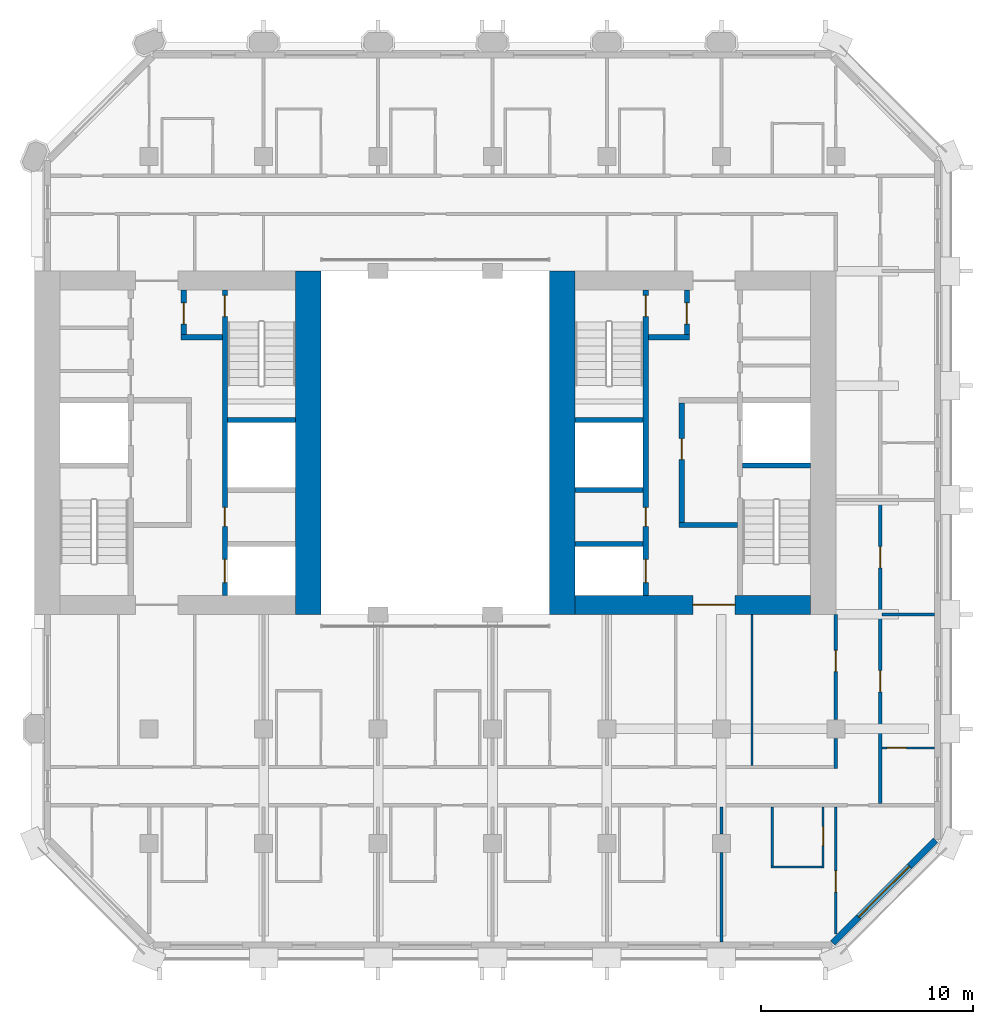
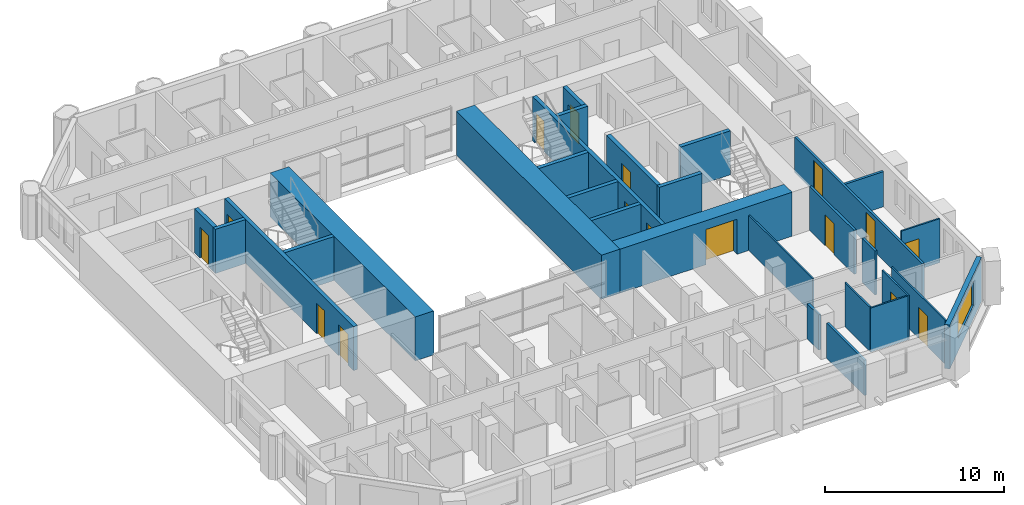
# One storey, part 8 of 13: 29 walls, 16 doors, 1 window, 17 openings.
"""IFC4 building model written with IfcOpenShell, lengths in metres."""

from ifc_helpers import new_model, si_unit, direction, frame, frame_2d, origin, place, context, subcontext, project, spatial, rectangle, extrude, material, layer, layer_set, type_object, element, fill, save


model = new_model("IFC4")

# Units and contexts
model_context = context("Model", 3, precision=1e-05, world=origin(), true_north=direction((0.0, 1.0)))
body_context = subcontext(model_context, "Body", "Model", "MODEL_VIEW")
ifc_project = project(units=[si_unit("LENGTHUNIT", "METRE"), si_unit("AREAUNIT", "SQUARE_METRE"), si_unit("VOLUMEUNIT", "CUBIC_METRE"), si_unit("PLANEANGLEUNIT", "RADIAN"), si_unit("MASSUNIT", "GRAM", prefix="KILO")], contexts=[model_context])

# Site, building, storey
site_placement = place(None, origin())
site = spatial("IfcSite", under=ifc_project, at=site_placement, CompositionType="ELEMENT")
building_placement = place(site_placement, origin())
building = spatial("IfcBuilding", under=site, at=building_placement, Name="Tabaq Tower and Sports Hall", CompositionType="ELEMENT")
storey_placement = place(building_placement, frame((0.0, 0.0, 159.39990234375)))
storey = spatial("IfcBuildingStorey", under=building, at=storey_placement, Name="L37", CompositionType="ELEMENT", Elevation=159.39990234375)

# Walls
ifc_material_1 = material(Name="Concrete C50/60", Category="concrete")
ifc_layer_1 = layer(ifc_material_1, 1.199951171875)
ifc_layer_set_1 = layer_set([ifc_layer_1], Name="Core wall 1200 Concrete C50/60")
wall_type_1 = type_object("IfcWallType", Name="Core wall 1200 Concrete C50/60", PredefinedType="SOLIDWALL", material=ifc_layer_set_1)
for number, where, z_axis, x_axis, name in (
    (1, (18.300048828125, 32.39990234375, 0.0), (0.0, 0.0, 1.0), (0.0, -1.0, 0.0), "Core wall W L37"),
    (2, (30.300048828125, 16.199951171875, 0.0), (0.0, 0.0, 1.0), (0.0, 1.0, 0.0), "Core wall E L37"),
):
    element("IfcWall", number, at=place(storey_placement, frame(where, z_axis=z_axis, x_axis=x_axis)), inside=storey, type_object=wall_type_1, Name=name, PredefinedType="SOLIDWALL", context=body_context, shape_type="SweptSolid", body=[
        extrude(rectangle(XDim=16.199951171875, YDim=1.199951171875, at=frame_2d((8.10009765625, 0.0))), origin(), (0.0, 0.0, 1.0), 3.0),
    ])

# Wall, opening, door
ifc_material_2 = material(Name="Concrete C50/60", Category="concrete")
ifc_layer_2 = layer(ifc_material_2, 0.89990234375)
ifc_layer_set_2 = layer_set([ifc_layer_2], Name="Core wall 900 Concrete C50/60")
wall_type_2 = type_object("IfcWallType", Name="Core wall 900 Concrete C50/60", PredefinedType="SOLIDWALL", material=ifc_layer_set_2)
wall_1_placement = place(storey_placement, frame((42.0, 16.64990234375, 0.0), z_axis=(0.0, 0.0, 1.0), x_axis=(-1.0, 0.0, 0.0)))
wall_1 = element("IfcWall", 3, at=wall_1_placement, inside=storey, type_object=wall_type_2, Name="Core wall E L37", PredefinedType="SOLIDWALL", context=body_context, shape_type="SweptSolid", body=[
    extrude(rectangle(XDim=11.10009765625, YDim=0.89990234375, at=frame_2d((5.550048828125, 0.0))), origin(), (0.0, 0.0, 1.0), 3.0),
])
opening_1_placement = place(wall_1_placement, frame((3.550048828125, 0.0, 0.0)))
opening_1 = element("IfcOpeningElement", 4, at=opening_1_placement, cuts=wall_1, Name="Opening PD-EL37-01", PredefinedType="OPENING", context=body_context, shape_type="SweptSolid", body=[
    extrude(rectangle(XDim=2.0, YDim=2.39990234375, at=frame_2d((1.0, 1.199951171875))), frame((0.0, 0.449951171875, 0.0), z_axis=(0.0, -1.0, 0.0), x_axis=(1.0, 0.0, 0.0)), (0.0, 0.0, 1.0), 0.89990234375),
])
ifc_material_3 = material(Name="Steel fire door", Category="steel")
door_type_1 = type_object("IfcDoorType", Name="Core entrance door 2000", OperationType="DOUBLE_DOOR_SINGLE_SWING", PredefinedType="DOOR", material=ifc_material_3)
door_1_placement = place(opening_1_placement, origin())
door_1 = element("IfcDoor", 5, at=door_1_placement, inside=storey, type_object=door_type_1, Name="Core entrance south E L37", OperationType="DOUBLE_DOOR_SINGLE_SWING", OverallHeight=2.39990234375, OverallWidth=2.0, PredefinedType="DOOR", context=body_context, shape_type="SweptSolid", body=[
    extrude(rectangle(XDim=2.0, YDim=2.39990234375, at=frame_2d((1.0, 1.199951171875))), frame((0.0, 0.02490234375, 0.0), z_axis=(0.0, -1.0, 0.0), x_axis=(1.0, 0.0, 0.0)), (0.0, 0.0, 1.0), 0.050048828125),
])
fill(opening_1, door_1)

ifc_material_4 = material(Name="Gypsum board on steel studs", Category="steel")
ifc_layer_3 = layer(ifc_material_4, 0.10009765625)
ifc_layer_set_3 = layer_set([ifc_layer_3], Name="Partition 100 Gypsum board")
wall_type_3 = type_object("IfcWallType", Name="Partition 100 Gypsum board", PredefinedType="PARTITIONING", material=ifc_layer_set_3)
wall_2_placement = place(storey_placement, frame((45.375, 9.89990234375, 0.0), z_axis=(0.0, 0.0, 1.0), x_axis=(1.0, 0.0, 0.0)))
wall_2 = element("IfcWall", 6, at=wall_2_placement, inside=storey, type_object=wall_type_3, Name="Partition wall L37", PredefinedType="PARTITIONING", context=body_context, shape_type="SweptSolid", body=[
    extrude(rectangle(XDim=2.47412109375, YDim=0.10009765625, at=frame_2d((1.237060546875, 0.0))), origin(), (0.0, 0.0, 1.0), 3.0),
])
opening_2_placement = place(wall_2_placement, frame((0.25, 0.0, 0.0)))
opening_2 = element("IfcOpeningElement", 7, at=opening_2_placement, cuts=wall_2, Name="Opening L37-017", PredefinedType="OPENING", context=body_context, shape_type="SweptSolid", body=[
    extrude(rectangle(XDim=0.89990234375, YDim=2.10009765625, at=frame_2d((0.449951171875, 1.050048828125))), frame((0.0, 0.050048828125, 0.0), z_axis=(0.0, -1.0, 0.0), x_axis=(1.0, 0.0, 0.0)), (0.0, 0.0, 1.0), 0.10009765625),
])
ifc_material_5 = material(Name="Timber leaf in steel frame", Category="steel")
door_type_2 = type_object("IfcDoorType", Name="Internal door 900 right hand", OperationType="SINGLE_SWING_RIGHT", PredefinedType="DOOR", material=ifc_material_5)
door_2_placement = place(opening_2_placement, origin())
door_2 = element("IfcDoor", 8, at=door_2_placement, inside=storey, type_object=door_type_2, Name="Internal door L37-017", OperationType="SINGLE_SWING_RIGHT", OverallHeight=2.10009765625, OverallWidth=0.89990234375, PredefinedType="DOOR", context=body_context, shape_type="SweptSolid", body=[
    extrude(rectangle(XDim=0.89990234375, YDim=2.10009765625, at=frame_2d((0.449951171875, 1.050048828125))), frame((0.0, 0.02490234375, 0.0), z_axis=(0.0, -1.0, 0.0), x_axis=(1.0, 0.0, 0.0)), (0.0, 0.0, 1.0), 0.050048828125),
])
fill(opening_2, door_2)

wall_3_placement = place(storey_placement, frame((43.199951171875, 1.112060546875, 0.0), z_axis=(0.0, 0.0, 1.0), x_axis=(0.0, 1.0, 0.0)))
wall_3 = element("IfcWall", 9, at=wall_3_placement, inside=storey, type_object=wall_type_3, Name="Partition wall L37", PredefinedType="PARTITIONING", context=body_context, shape_type="SweptSolid", body=[
    extrude(rectangle(XDim=6.012939453125, YDim=0.10009765625, at=frame_2d((3.00634765625, 0.0))), origin(), (0.0, 0.0, 1.0), 3.0),
])
opening_3_placement = place(wall_3_placement, frame((1.98779296875, 0.0, 0.0)))
opening_3 = element("IfcOpeningElement", 10, at=opening_3_placement, cuts=wall_3, Name="Opening L37-051", PredefinedType="OPENING", context=body_context, shape_type="SweptSolid", body=[
    extrude(rectangle(XDim=1.0, YDim=2.10009765625, at=frame_2d((0.5, 1.050048828125))), frame((0.0, 0.050048828125, 0.0), z_axis=(0.0, -1.0, 0.0), x_axis=(1.0, 0.0, 0.0)), (0.0, 0.0, 1.0), 0.10009765625),
])
ifc_material_6 = material(Name="Timber leaf in steel frame", Category="steel")
door_type_3 = type_object("IfcDoorType", Name="Internal door 1000 right hand", OperationType="SINGLE_SWING_RIGHT", PredefinedType="DOOR", material=ifc_material_6)
door_3_placement = place(opening_3_placement, origin())
door_3 = element("IfcDoor", 11, at=door_3_placement, inside=storey, type_object=door_type_3, Name="Internal door L37-051", OperationType="SINGLE_SWING_RIGHT", OverallHeight=2.10009765625, OverallWidth=1.0, PredefinedType="DOOR", context=body_context, shape_type="SweptSolid", body=[
    extrude(rectangle(XDim=1.0, YDim=2.10009765625, at=frame_2d((0.5, 1.050048828125))), frame((0.0, 0.02490234375, 0.0), z_axis=(0.0, -1.0, 0.0), x_axis=(1.0, 0.0, 0.0)), (0.0, 0.0, 1.0), 0.050048828125),
])
fill(opening_3, door_3)

wall_4_placement = place(storey_placement, frame((42.60009765625, 7.125, 0.0), z_axis=(0.0, 0.0, 1.0), x_axis=(0.0, -1.0, 0.0)))
wall_4 = element("IfcWall", 12, at=wall_4_placement, inside=storey, type_object=wall_type_3, Name="Partition wall L37", PredefinedType="PARTITIONING", context=body_context, shape_type="SweptSolid", body=[
    extrude(rectangle(XDim=2.89990234375, YDim=0.10009765625, at=frame_2d((1.449951171875, 0.0))), origin(), (0.0, 0.0, 1.0), 3.0),
])
opening_4_placement = place(wall_4_placement, frame((0.93701171875, 0.0, 0.0)))
opening_4 = element("IfcOpeningElement", 13, at=opening_4_placement, cuts=wall_4, Name="Opening L37-024", PredefinedType="OPENING", context=body_context, shape_type="SweptSolid", body=[
    extrude(rectangle(XDim=0.89990234375, YDim=2.10009765625, at=frame_2d((0.449951171875, 1.050048828125))), frame((0.0, 0.050048828125, 0.0), z_axis=(0.0, -1.0, 0.0), x_axis=(1.0, 0.0, 0.0)), (0.0, 0.0, 1.0), 0.10009765625),
])
door_4_placement = place(opening_4_placement, origin())
door_4 = element("IfcDoor", 14, at=door_4_placement, inside=storey, type_object=door_type_2, Name="Internal door L37-024", OperationType="SINGLE_SWING_RIGHT", OverallHeight=2.10009765625, OverallWidth=0.89990234375, PredefinedType="DOOR", context=body_context, shape_type="SweptSolid", body=[
    extrude(rectangle(XDim=0.89990234375, YDim=2.10009765625, at=frame_2d((0.449951171875, 1.050048828125))), frame((0.0, 0.02490234375, 0.0), z_axis=(0.0, -1.0, 0.0), x_axis=(1.0, 0.0, 0.0)), (0.0, 0.0, 1.0), 0.050048828125),
])
fill(opening_4, door_4)

# Walls
wall_5_placement = place(storey_placement, frame((42.550048828125, 4.27490234375, 0.0), z_axis=(0.0, 0.0, 1.0), x_axis=(-1.0, 0.0, 0.0)))
element("IfcWall", 15, at=wall_5_placement, inside=storey, type_object=wall_type_3, Name="Partition wall L37", PredefinedType="PARTITIONING", context=body_context, shape_type="SweptSolid", body=[
    extrude(rectangle(XDim=2.400146484375, YDim=0.10009765625, at=frame_2d((1.2001953125, 0.0))), origin(), (0.0, 0.0, 1.0), 3.0),
])
wall_6_placement = place(storey_placement, frame((40.199951171875, 4.324951171875, 0.0), z_axis=(0.0, 0.0, 1.0), x_axis=(0.0, 1.0, 0.0)))
element("IfcWall", 16, at=wall_6_placement, inside=storey, type_object=wall_type_3, Name="Partition wall L37", PredefinedType="PARTITIONING", context=body_context, shape_type="SweptSolid", body=[
    extrude(rectangle(XDim=2.800048828125, YDim=0.10009765625, at=frame_2d((1.39990234375, 0.0))), origin(), (0.0, 0.0, 1.0), 3.0),
])
wall_7_placement = place(storey_placement, frame((39.25, 9.074951171875, 0.0), z_axis=(0.0, 0.0, 1.0), x_axis=(0.0, 1.0, 0.0)))
element("IfcWall", 17, at=wall_7_placement, inside=storey, type_object=wall_type_3, Name="Partition wall L37", PredefinedType="PARTITIONING", context=body_context, shape_type="SweptSolid", body=[
    extrude(rectangle(XDim=7.125, YDim=0.10009765625, at=frame_2d((3.5625, 0.0))), origin(), (0.0, 0.0, 1.0), 2.400146484375),
])
ifc_material_7 = material(Name="Blockwork", Category="masonry")
ifc_layer_4 = layer(ifc_material_7, 0.14990234375)
ifc_layer_set_4 = layer_set([ifc_layer_4], Name="Separating wall 150 Blockwork")
wall_type_4 = type_object("IfcWallType", Name="Separating wall 150 Blockwork", PredefinedType="PARTITIONING", material=ifc_layer_set_4)
wall_8_placement = place(storey_placement, frame((47.84912109375, 16.199951171875, 0.0), z_axis=(0.0, 0.0, 1.0), x_axis=(-1.0, 0.0, 0.0)))
element("IfcWall", 18, at=wall_8_placement, inside=storey, type_object=wall_type_4, Name="Separating wall L37", PredefinedType="PARTITIONING", context=body_context, shape_type="SweptSolid", body=[
    extrude(rectangle(XDim=2.47412109375, YDim=0.14990234375, at=frame_2d((1.237060546875, 0.0))), origin(), (0.0, 0.0, 1.0), 2.400146484375),
])

# Wall, openings, doors
wall_9_placement = place(storey_placement, frame((45.300048828125, 21.52490234375, 0.0), z_axis=(0.0, 0.0, 1.0), x_axis=(0.0, -1.0, 0.0)))
wall_9 = element("IfcWall", 19, at=wall_9_placement, inside=storey, type_object=wall_type_4, Name="Separating wall L37", PredefinedType="PARTITIONING", context=body_context, shape_type="SweptSolid", body=[
    extrude(rectangle(XDim=14.25, YDim=0.14990234375, at=frame_2d((7.125, 0.0))), origin(), (0.0, 0.0, 1.0), 2.400146484375),
])
opening_5_placement = place(wall_9_placement, frame((2.125, 0.0, 0.0)))
opening_5 = element("IfcOpeningElement", 20, at=opening_5_placement, cuts=wall_9, Name="Opening L37-025", PredefinedType="OPENING", context=body_context, shape_type="SweptSolid", body=[
    extrude(rectangle(XDim=1.0, YDim=2.10009765625, at=frame_2d((0.5, 1.050048828125))), frame((0.0, 0.074951171875, 0.0), z_axis=(0.0, -1.0, 0.0), x_axis=(1.0, 0.0, 0.0)), (0.0, 0.0, 1.0), 0.14990234375),
])
opening_6_placement = place(wall_9_placement, frame((7.97509765625, 0.0, 0.0)))
opening_6 = element("IfcOpeningElement", 21, at=opening_6_placement, cuts=wall_9, Name="Opening L37-044", PredefinedType="OPENING", context=body_context, shape_type="SweptSolid", body=[
    extrude(rectangle(XDim=1.0, YDim=2.10009765625, at=frame_2d((0.5, 1.050048828125))), frame((0.0, 0.074951171875, 0.0), z_axis=(0.0, -1.0, 0.0), x_axis=(1.0, 0.0, 0.0)), (0.0, 0.0, 1.0), 0.14990234375),
])
ifc_material_8 = material(Name="Steel fire door", Category="steel")
door_type_4 = type_object("IfcDoorType", Name="Entrance door 1000 right hand", OperationType="SINGLE_SWING_RIGHT", PredefinedType="DOOR", material=ifc_material_8)
door_5_placement = place(opening_6_placement, origin())
door_5 = element("IfcDoor", 22, at=door_5_placement, inside=storey, type_object=door_type_4, Name="Entrance door L37-044", OperationType="SINGLE_SWING_RIGHT", OverallHeight=2.10009765625, OverallWidth=1.0, PredefinedType="DOOR", context=body_context, shape_type="SweptSolid", body=[
    extrude(rectangle(XDim=1.0, YDim=2.10009765625, at=frame_2d((0.5, 1.050048828125))), frame((0.0, 0.02490234375, 0.0), z_axis=(0.0, -1.0, 0.0), x_axis=(1.0, 0.0, 0.0)), (0.0, 0.0, 1.0), 0.050048828125),
])
fill(opening_6, door_5)
door_6_placement = place(opening_5_placement, origin())
door_6 = element("IfcDoor", 23, at=door_6_placement, inside=storey, type_object=door_type_3, Name="Internal door L37-025", OperationType="SINGLE_SWING_RIGHT", OverallHeight=2.10009765625, OverallWidth=1.0, PredefinedType="DOOR", context=body_context, shape_type="SweptSolid", body=[
    extrude(rectangle(XDim=1.0, YDim=2.10009765625, at=frame_2d((0.5, 1.050048828125))), frame((0.0, 0.02490234375, 0.0), z_axis=(0.0, -1.0, 0.0), x_axis=(1.0, 0.0, 0.0)), (0.0, 0.0, 1.0), 0.050048828125),
])
fill(opening_5, door_6)

# Walls
wall_10_placement = place(storey_placement, frame((37.800048828125, 0.7509765625, 0.0), z_axis=(0.0, 0.0, 1.0), x_axis=(0.0, 1.0, 0.0)))
element("IfcWall", 24, at=wall_10_placement, inside=storey, type_object=wall_type_4, Name="Separating wall L37", PredefinedType="PARTITIONING", context=body_context, shape_type="SweptSolid", body=[
    extrude(rectangle(XDim=4.2041015625, YDim=0.14990234375, at=frame_2d((2.10205078125, 0.0))), origin(), (0.0, 0.0, 1.0), 2.400146484375),
])
wall_11_placement = place(storey_placement, frame((37.800048828125, 5.844970703125, 0.0), z_axis=(0.0, 0.0, 1.0), x_axis=(0.0, 1.0, 0.0)))
element("IfcWall", 25, at=wall_11_placement, inside=storey, type_object=wall_type_4, Name="Separating wall L37", PredefinedType="PARTITIONING", context=body_context, shape_type="SweptSolid", body=[
    extrude(rectangle(XDim=1.280029296875, YDim=0.14990234375, at=frame_2d((0.64013671875, 0.0))), origin(), (0.0, 0.0, 1.0), 2.400146484375),
])

# Wall, opening, door
wall_12_placement = place(storey_placement, frame((43.199951171875, 16.199951171875, 0.0), z_axis=(0.0, 0.0, 1.0), x_axis=(0.0, -1.0, 0.0)))
wall_12 = element("IfcWall", 26, at=wall_12_placement, inside=storey, type_object=wall_type_4, Name="Separating wall L37", PredefinedType="PARTITIONING", context=body_context, shape_type="SweptSolid", body=[
    extrude(rectangle(XDim=4.954833984375, YDim=0.14990234375, at=frame_2d((2.4775390625, 0.0))), origin(), (0.0, 0.0, 1.0), 3.0),
])
opening_7_placement = place(wall_12_placement, frame((1.699951171875, 0.0, 0.0)))
opening_7 = element("IfcOpeningElement", 27, at=opening_7_placement, cuts=wall_12, Name="Opening L37-028", PredefinedType="OPENING", context=body_context, shape_type="SweptSolid", body=[
    extrude(rectangle(XDim=1.0, YDim=2.10009765625, at=frame_2d((0.5, 1.050048828125))), frame((0.0, 0.074951171875, 0.0), z_axis=(0.0, -1.0, 0.0), x_axis=(1.0, 0.0, 0.0)), (0.0, 0.0, 1.0), 0.14990234375),
])
door_7_placement = place(opening_7_placement, origin())
door_7 = element("IfcDoor", 28, at=door_7_placement, inside=storey, type_object=door_type_3, Name="Internal door L37-028", OperationType="SINGLE_SWING_RIGHT", OverallHeight=2.10009765625, OverallWidth=1.0, PredefinedType="DOOR", context=body_context, shape_type="SweptSolid", body=[
    extrude(rectangle(XDim=1.0, YDim=2.10009765625, at=frame_2d((0.5, 1.050048828125))), frame((0.0, 0.02490234375, 0.0), z_axis=(0.0, -1.0, 0.0), x_axis=(1.0, 0.0, 0.0)), (0.0, 0.0, 1.0), 0.050048828125),
])
fill(opening_7, door_7)

# Wall
wall_13_placement = place(storey_placement, frame((43.199951171875, 10.35498046875, 0.0), z_axis=(0.0, 0.0, 1.0), x_axis=(0.0, -1.0, 0.0)))
element("IfcWall", 29, at=wall_13_placement, inside=storey, type_object=wall_type_4, Name="Separating wall L37", PredefinedType="PARTITIONING", context=body_context, shape_type="SweptSolid", body=[
    extrude(rectangle(XDim=1.429931640625, YDim=0.14990234375, at=frame_2d((0.71484375, 0.0))), origin(), (0.0, 0.0, 1.0), 3.0),
])

# Wall, openings, doors
ifc_material_9 = material(Name="Concrete C40/50", Category="concrete")
ifc_layer_5 = layer(ifc_material_9, 0.25)
ifc_layer_set_5 = layer_set([ifc_layer_5], Name="Shaft and stair wall 250 Concrete C40/50")
wall_type_5 = type_object("IfcWallType", Name="Shaft and stair wall 250 Concrete C40/50", PredefinedType="SOLIDWALL", material=ifc_layer_set_5)
wall_14_placement = place(storey_placement, frame((14.375, 17.10009765625, 0.0), z_axis=(0.0, 0.0, 1.0), x_axis=(0.0, 1.0, 0.0)))
wall_14 = element("IfcWall", 30, at=wall_14_placement, inside=storey, type_object=wall_type_5, Name="Shaft wall W L37", PredefinedType="SOLIDWALL", context=body_context, shape_type="SweptSolid", body=[
    extrude(rectangle(XDim=14.39990234375, YDim=0.25, at=frame_2d((7.199951171875, 0.0))), origin(), (0.0, 0.0, 1.0), 3.0),
])
opening_8_placement = place(wall_14_placement, frame((13.14990234375, 0.0, 0.0)))
opening_8 = element("IfcOpeningElement", 31, at=opening_8_placement, cuts=wall_14, Name="Opening SD-WL37-05", PredefinedType="OPENING", context=body_context, shape_type="SweptSolid", body=[
    extrude(rectangle(XDim=1.0, YDim=2.10009765625, at=frame_2d((0.5, 1.050048828125))), frame((0.0, 0.125, 0.0), z_axis=(0.0, -1.0, 0.0), x_axis=(1.0, 0.0, 0.0)), (0.0, 0.0, 1.0), 0.25),
])
opening_9_placement = place(wall_14_placement, frame((0.60009765625, 0.0, 0.0)))
opening_9 = element("IfcOpeningElement", 32, at=opening_9_placement, cuts=wall_14, Name="Opening LD-MR1-L37", PredefinedType="OPENING", context=body_context, shape_type="SweptSolid", body=[
    extrude(rectangle(XDim=1.10009765625, YDim=2.10009765625, at=frame_2d((0.550048828125, 1.050048828125))), frame((0.0, 0.125, 0.0), z_axis=(0.0, -1.0, 0.0), x_axis=(1.0, 0.0, 0.0)), (0.0, 0.0, 1.0), 0.25),
])
opening_10_placement = place(wall_14_placement, frame((3.25, 0.0, 0.0)))
opening_10 = element("IfcOpeningElement", 33, at=opening_10_placement, cuts=wall_14, Name="Opening RD-WL37-12", PredefinedType="OPENING", context=body_context, shape_type="SweptSolid", body=[
    extrude(rectangle(XDim=0.89990234375, YDim=2.10009765625, at=frame_2d((0.449951171875, 1.050048828125))), frame((0.0, 0.125, 0.0), z_axis=(0.0, -1.0, 0.0), x_axis=(1.0, 0.0, 0.0)), (0.0, 0.0, 1.0), 0.25),
])
ifc_material_10 = material(Name="Steel fire door", Category="steel")
door_type_5 = type_object("IfcDoorType", Name="Core room door 900", OperationType="SINGLE_SWING_LEFT", PredefinedType="DOOR", material=ifc_material_10)
door_8_placement = place(opening_10_placement, origin())
door_8 = element("IfcDoor", 34, at=door_8_placement, inside=storey, type_object=door_type_5, Name="Door Cleaner's Store W L37", OperationType="SINGLE_SWING_LEFT", OverallHeight=2.10009765625, OverallWidth=0.89990234375, PredefinedType="DOOR", context=body_context, shape_type="SweptSolid", body=[
    extrude(rectangle(XDim=0.89990234375, YDim=2.10009765625, at=frame_2d((0.449951171875, 1.050048828125))), frame((0.0, 0.02490234375, 0.0), z_axis=(0.0, -1.0, 0.0), x_axis=(1.0, 0.0, 0.0)), (0.0, 0.0, 1.0), 0.050048828125),
])
fill(opening_10, door_8)
ifc_material_11 = material(Name="Stainless steel", Category="steel")
door_type_6 = type_object("IfcDoorType", Name="Lift landing door 1100", OperationType="DOUBLE_DOOR_SLIDING", PredefinedType="DOOR", material=ifc_material_11)
door_9_placement = place(opening_9_placement, origin())
door_9 = element("IfcDoor", 35, at=door_9_placement, inside=storey, type_object=door_type_6, Name="Lift landing door MR1 W L37", OperationType="DOUBLE_DOOR_SLIDING", OverallHeight=2.10009765625, OverallWidth=1.10009765625, PredefinedType="DOOR", context=body_context, shape_type="SweptSolid", body=[
    extrude(rectangle(XDim=1.10009765625, YDim=2.10009765625, at=frame_2d((0.550048828125, 1.050048828125))), frame((0.0, 0.02490234375, 0.0), z_axis=(0.0, -1.0, 0.0), x_axis=(1.0, 0.0, 0.0)), (0.0, 0.0, 1.0), 0.050048828125),
])
fill(opening_9, door_9)
ifc_material_12 = material(Name="Steel fire door", Category="steel")
door_type_7 = type_object("IfcDoorType", Name="Stair door 1000", OperationType="SINGLE_SWING_LEFT", PredefinedType="DOOR", material=ifc_material_12)
door_10_placement = place(opening_8_placement, origin())
door_10 = element("IfcDoor", 36, at=door_10_placement, inside=storey, type_object=door_type_7, Name="Stair door ST2 W L37", OperationType="SINGLE_SWING_LEFT", OverallHeight=2.10009765625, OverallWidth=1.0, PredefinedType="DOOR", context=body_context, shape_type="SweptSolid", body=[
    extrude(rectangle(XDim=1.0, YDim=2.10009765625, at=frame_2d((0.5, 1.050048828125))), frame((0.0, 0.02490234375, 0.0), z_axis=(0.0, -1.0, 0.0), x_axis=(1.0, 0.0, 0.0)), (0.0, 0.0, 1.0), 0.050048828125),
])
fill(opening_8, door_10)

# Wall
wall_15_placement = place(storey_placement, frame((14.5, 25.375, 0.0), z_axis=(0.0, 0.0, 1.0), x_axis=(1.0, 0.0, 0.0)))
element("IfcWall", 37, at=wall_15_placement, inside=storey, type_object=wall_type_5, Name="Stair enclosure wall W L37", PredefinedType="SOLIDWALL", context=body_context, shape_type="SweptSolid", body=[
    extrude(rectangle(XDim=3.199951171875, YDim=0.25, at=frame_2d((1.60009765625, 0.0))), origin(), (0.0, 0.0, 1.0), 3.0),
])

# Wall, opening, door
wall_16_placement = place(storey_placement, frame((12.425048828125, 29.39990234375, 0.0), z_axis=(0.0, 0.0, 1.0), x_axis=(0.0, 1.0, 0.0)))
wall_16 = element("IfcWall", 38, at=wall_16_placement, inside=storey, type_object=wall_type_5, Name="Fire-fighting lobby wall W L37", PredefinedType="SOLIDWALL", context=body_context, shape_type="SweptSolid", body=[
    extrude(rectangle(XDim=2.10009765625, YDim=0.25, at=frame_2d((1.050048828125, 0.0))), origin(), (0.0, 0.0, 1.0), 3.0),
])
opening_11_placement = place(wall_16_placement, frame((0.5, 0.0, 0.0)))
opening_11 = element("IfcOpeningElement", 39, at=opening_11_placement, cuts=wall_16, Name="Opening FD-WL37-06", PredefinedType="OPENING", context=body_context, shape_type="SweptSolid", body=[
    extrude(rectangle(XDim=1.0, YDim=2.10009765625, at=frame_2d((0.5, 1.050048828125))), frame((0.0, 0.125, 0.0), z_axis=(0.0, -1.0, 0.0), x_axis=(1.0, 0.0, 0.0)), (0.0, 0.0, 1.0), 0.25),
])
ifc_material_13 = material(Name="Steel fire door", Category="steel")
door_type_8 = type_object("IfcDoorType", Name="Fire-fighting lobby door 1000", OperationType="SINGLE_SWING_LEFT", PredefinedType="DOOR", material=ifc_material_13)
door_11_placement = place(opening_11_placement, origin())
door_11 = element("IfcDoor", 40, at=door_11_placement, inside=storey, type_object=door_type_8, Name="Stair lobby door W L37", OperationType="SINGLE_SWING_LEFT", OverallHeight=2.10009765625, OverallWidth=1.0, PredefinedType="DOOR", context=body_context, shape_type="SweptSolid", body=[
    extrude(rectangle(XDim=1.0, YDim=2.10009765625, at=frame_2d((0.5, 1.050048828125))), frame((0.0, 0.02490234375, 0.0), z_axis=(0.0, -1.0, 0.0), x_axis=(1.0, 0.0, 0.0)), (0.0, 0.0, 1.0), 0.050048828125),
])
fill(opening_11, door_11)

# Wall
wall_17_placement = place(storey_placement, frame((12.300048828125, 29.27490234375, 0.0), z_axis=(0.0, 0.0, 1.0), x_axis=(1.0, 0.0, 0.0)))
element("IfcWall", 41, at=wall_17_placement, inside=storey, type_object=wall_type_5, Name="Fire-fighting lobby wall W L37", PredefinedType="SOLIDWALL", context=body_context, shape_type="SweptSolid", body=[
    extrude(rectangle(XDim=1.949951171875, YDim=0.25, at=frame_2d((0.97509765625, 0.0))), origin(), (0.0, 0.0, 1.0), 3.0),
])

# Wall, openings, doors
wall_18_placement = place(storey_placement, frame((34.22509765625, 17.10009765625, 0.0), z_axis=(0.0, 0.0, 1.0), x_axis=(0.0, 1.0, 0.0)))
wall_18 = element("IfcWall", 42, at=wall_18_placement, inside=storey, type_object=wall_type_5, Name="Shaft wall E L37", PredefinedType="SOLIDWALL", context=body_context, shape_type="SweptSolid", body=[
    extrude(rectangle(XDim=14.39990234375, YDim=0.25, at=frame_2d((7.199951171875, 0.0))), origin(), (0.0, 0.0, 1.0), 3.0),
])
opening_12_placement = place(wall_18_placement, frame((13.14990234375, 0.0, 0.0)))
opening_12 = element("IfcOpeningElement", 43, at=opening_12_placement, cuts=wall_18, Name="Opening SD-EL37-05", PredefinedType="OPENING", context=body_context, shape_type="SweptSolid", body=[
    extrude(rectangle(XDim=1.0, YDim=2.10009765625, at=frame_2d((0.5, 1.050048828125))), frame((0.0, 0.125, 0.0), z_axis=(0.0, -1.0, 0.0), x_axis=(1.0, 0.0, 0.0)), (0.0, 0.0, 1.0), 0.25),
])
opening_13_placement = place(wall_18_placement, frame((0.60009765625, 0.0, 0.0)))
opening_13 = element("IfcOpeningElement", 44, at=opening_13_placement, cuts=wall_18, Name="Opening LD-MR2-L37", PredefinedType="OPENING", context=body_context, shape_type="SweptSolid", body=[
    extrude(rectangle(XDim=1.10009765625, YDim=2.10009765625, at=frame_2d((0.550048828125, 1.050048828125))), frame((0.0, 0.125, 0.0), z_axis=(0.0, -1.0, 0.0), x_axis=(1.0, 0.0, 0.0)), (0.0, 0.0, 1.0), 0.25),
])
opening_14_placement = place(wall_18_placement, frame((3.25, 0.0, 0.0)))
opening_14 = element("IfcOpeningElement", 45, at=opening_14_placement, cuts=wall_18, Name="Opening RD-EL37-12", PredefinedType="OPENING", context=body_context, shape_type="SweptSolid", body=[
    extrude(rectangle(XDim=0.89990234375, YDim=2.10009765625, at=frame_2d((0.449951171875, 1.050048828125))), frame((0.0, 0.125, 0.0), z_axis=(0.0, -1.0, 0.0), x_axis=(1.0, 0.0, 0.0)), (0.0, 0.0, 1.0), 0.25),
])
door_12_placement = place(opening_14_placement, origin())
door_12 = element("IfcDoor", 46, at=door_12_placement, inside=storey, type_object=door_type_5, Name="Door Cleaner's Store E L37", OperationType="SINGLE_SWING_LEFT", OverallHeight=2.10009765625, OverallWidth=0.89990234375, PredefinedType="DOOR", context=body_context, shape_type="SweptSolid", body=[
    extrude(rectangle(XDim=0.89990234375, YDim=2.10009765625, at=frame_2d((0.449951171875, 1.050048828125))), frame((0.0, 0.02490234375, 0.0), z_axis=(0.0, -1.0, 0.0), x_axis=(1.0, 0.0, 0.0)), (0.0, 0.0, 1.0), 0.050048828125),
])
fill(opening_14, door_12)
door_13_placement = place(opening_13_placement, origin())
door_13 = element("IfcDoor", 47, at=door_13_placement, inside=storey, type_object=door_type_6, Name="Lift landing door MR2 E L37", OperationType="DOUBLE_DOOR_SLIDING", OverallHeight=2.10009765625, OverallWidth=1.10009765625, PredefinedType="DOOR", context=body_context, shape_type="SweptSolid", body=[
    extrude(rectangle(XDim=1.10009765625, YDim=2.10009765625, at=frame_2d((0.550048828125, 1.050048828125))), frame((0.0, 0.02490234375, 0.0), z_axis=(0.0, -1.0, 0.0), x_axis=(1.0, 0.0, 0.0)), (0.0, 0.0, 1.0), 0.050048828125),
])
fill(opening_13, door_13)
door_14_placement = place(opening_12_placement, origin())
door_14 = element("IfcDoor", 48, at=door_14_placement, inside=storey, type_object=door_type_7, Name="Stair door ST4 E L37", OperationType="SINGLE_SWING_LEFT", OverallHeight=2.10009765625, OverallWidth=1.0, PredefinedType="DOOR", context=body_context, shape_type="SweptSolid", body=[
    extrude(rectangle(XDim=1.0, YDim=2.10009765625, at=frame_2d((0.5, 1.050048828125))), frame((0.0, 0.02490234375, 0.0), z_axis=(0.0, -1.0, 0.0), x_axis=(1.0, 0.0, 0.0)), (0.0, 0.0, 1.0), 0.050048828125),
])
fill(opening_12, door_14)

# Walls
wall_19_placement = place(storey_placement, frame((38.800048828125, 23.22509765625, 0.0), z_axis=(0.0, 0.0, 1.0), x_axis=(1.0, 0.0, 0.0)))
element("IfcWall", 49, at=wall_19_placement, inside=storey, type_object=wall_type_5, Name="Stair enclosure wall E L37", PredefinedType="SOLIDWALL", context=body_context, shape_type="SweptSolid", body=[
    extrude(rectangle(XDim=3.199951171875, YDim=0.25, at=frame_2d((1.60009765625, 0.0))), origin(), (0.0, 0.0, 1.0), 3.0),
])
for number, where, z_axis, x_axis, name in (
    (50, (30.89990234375, 25.375, 0.0), (0.0, 0.0, 1.0), (1.0, 0.0, 0.0), "Stair enclosure wall E L37"),
    (51, (30.89990234375, 22.074951171875, 0.0), (0.0, 0.0, 1.0), (1.0, 0.0, 0.0), "Shaft wall E L37"),
):
    element("IfcWall", number, at=place(storey_placement, frame(where, z_axis=z_axis, x_axis=x_axis)), inside=storey, type_object=wall_type_5, Name=name, PredefinedType="SOLIDWALL", context=body_context, shape_type="SweptSolid", body=[
        extrude(rectangle(XDim=3.2001953125, YDim=0.25, at=frame_2d((1.60009765625, 0.0))), origin(), (0.0, 0.0, 1.0), 3.0),
    ])
wall_20_placement = place(storey_placement, frame((35.800048828125, 20.425048828125, 0.0), z_axis=(0.0, 0.0, 1.0), x_axis=(1.0, 0.0, 0.0)))
element("IfcWall", 52, at=wall_20_placement, inside=storey, type_object=wall_type_5, Name="Fire-fighting lobby wall E L37", PredefinedType="SOLIDWALL", context=body_context, shape_type="SweptSolid", body=[
    extrude(rectangle(XDim=2.75, YDim=0.25, at=frame_2d((1.375, 0.0))), origin(), (0.0, 0.0, 1.0), 3.0),
])

# Wall, opening, door
wall_21_placement = place(storey_placement, frame((36.175048828125, 29.39990234375, 0.0), z_axis=(0.0, 0.0, 1.0), x_axis=(0.0, 1.0, 0.0)))
wall_21 = element("IfcWall", 53, at=wall_21_placement, inside=storey, type_object=wall_type_5, Name="Fire-fighting lobby wall E L37", PredefinedType="SOLIDWALL", context=body_context, shape_type="SweptSolid", body=[
    extrude(rectangle(XDim=2.10009765625, YDim=0.25, at=frame_2d((1.050048828125, 0.0))), origin(), (0.0, 0.0, 1.0), 3.0),
])
opening_15_placement = place(wall_21_placement, frame((0.5, 0.0, 0.0)))
opening_15 = element("IfcOpeningElement", 54, at=opening_15_placement, cuts=wall_21, Name="Opening FD-EL37-06", PredefinedType="OPENING", context=body_context, shape_type="SweptSolid", body=[
    extrude(rectangle(XDim=1.0, YDim=2.10009765625, at=frame_2d((0.5, 1.050048828125))), frame((0.0, 0.125, 0.0), z_axis=(0.0, -1.0, 0.0), x_axis=(1.0, 0.0, 0.0)), (0.0, 0.0, 1.0), 0.25),
])
door_15_placement = place(opening_15_placement, origin())
door_15 = element("IfcDoor", 55, at=door_15_placement, inside=storey, type_object=door_type_8, Name="Stair lobby door E L37", OperationType="SINGLE_SWING_LEFT", OverallHeight=2.10009765625, OverallWidth=1.0, PredefinedType="DOOR", context=body_context, shape_type="SweptSolid", body=[
    extrude(rectangle(XDim=1.0, YDim=2.10009765625, at=frame_2d((0.5, 1.050048828125))), frame((0.0, 0.02490234375, 0.0), z_axis=(0.0, -1.0, 0.0), x_axis=(1.0, 0.0, 0.0)), (0.0, 0.0, 1.0), 0.050048828125),
])
fill(opening_15, door_15)

# Wall
wall_22_placement = place(storey_placement, frame((34.35009765625, 29.27490234375, 0.0), z_axis=(0.0, 0.0, 1.0), x_axis=(1.0, 0.0, 0.0)))
element("IfcWall", 56, at=wall_22_placement, inside=storey, type_object=wall_type_5, Name="Fire-fighting lobby wall E L37", PredefinedType="SOLIDWALL", context=body_context, shape_type="SweptSolid", body=[
    extrude(rectangle(XDim=1.949951171875, YDim=0.25, at=frame_2d((0.97509765625, 0.0))), origin(), (0.0, 0.0, 1.0), 3.0),
])

# Wall, opening, door
wall_23_placement = place(storey_placement, frame((35.925048828125, 20.550048828125, 0.0), z_axis=(0.0, 0.0, 1.0), x_axis=(0.0, 1.0, 0.0)))
wall_23 = element("IfcWall", 57, at=wall_23_placement, inside=storey, type_object=wall_type_5, Name="Fire-fighting lobby wall E L37", PredefinedType="SOLIDWALL", context=body_context, shape_type="SweptSolid", body=[
    extrude(rectangle(XDim=5.625, YDim=0.25, at=frame_2d((2.8125, 0.0))), origin(), (0.0, 0.0, 1.0), 3.0),
])
opening_16_placement = place(wall_23_placement, frame((2.949951171875, 0.0, 0.0)))
opening_16 = element("IfcOpeningElement", 58, at=opening_16_placement, cuts=wall_23, Name="Opening FD-EL37-04", PredefinedType="OPENING", context=body_context, shape_type="SweptSolid", body=[
    extrude(rectangle(XDim=1.0, YDim=2.10009765625, at=frame_2d((0.5, 1.050048828125))), frame((0.0, 0.125, 0.0), z_axis=(0.0, -1.0, 0.0), x_axis=(1.0, 0.0, 0.0)), (0.0, 0.0, 1.0), 0.25),
])
door_16_placement = place(opening_16_placement, origin())
door_16 = element("IfcDoor", 59, at=door_16_placement, inside=storey, type_object=door_type_8, Name="Fire-fighting lobby door E L37", OperationType="SINGLE_SWING_LEFT", OverallHeight=2.10009765625, OverallWidth=1.0, PredefinedType="DOOR", context=body_context, shape_type="SweptSolid", body=[
    extrude(rectangle(XDim=1.0, YDim=2.10009765625, at=frame_2d((0.5, 1.050048828125))), frame((0.0, 0.02490234375, 0.0), z_axis=(0.0, -1.0, 0.0), x_axis=(1.0, 0.0, 0.0)), (0.0, 0.0, 1.0), 0.050048828125),
])
fill(opening_16, door_16)

# Wall
wall_24_placement = place(storey_placement, frame((30.89990234375, 19.52490234375, 0.0), z_axis=(0.0, 0.0, 1.0), x_axis=(1.0, 0.0, 0.0)))
element("IfcWall", 60, at=wall_24_placement, inside=storey, type_object=wall_type_5, Name="Shaft wall E L37", PredefinedType="SOLIDWALL", context=body_context, shape_type="SweptSolid", body=[
    extrude(rectangle(XDim=3.2001953125, YDim=0.25, at=frame_2d((1.60009765625, 0.0))), origin(), (0.0, 0.0, 1.0), 3.0),
])

# Wall, opening, window
ifc_material_14 = material(Name="White precast concrete C60/75", Category="concrete")
ifc_layer_6 = layer(ifc_material_14, 0.300048828125)
ifc_layer_set_6 = layer_set([ifc_layer_6], Name="White precast concrete C60/75 external wall 300")
wall_type_6 = type_object("IfcWallType", Name="White precast concrete C60/75 external wall 300", PredefinedType="SOLIDWALL", material=ifc_layer_set_6)
wall_25_placement = place(storey_placement, frame((43.050537109375, 0.698974609375, 0.0), z_axis=(0.0, 0.0, 1.0), x_axis=(0.707106781187, 0.707106781187, 0.0)))
wall_25 = element("IfcWall", 61, at=wall_25_placement, inside=storey, type_object=wall_type_6, Name="External Wall L37 SE", PredefinedType="SOLIDWALL", context=body_context, shape_type="SweptSolid", body=[
    extrude(rectangle(XDim=6.85986328125, YDim=0.300048828125, at=frame_2d((3.429931640625, 0.0))), origin(), (0.0, 0.0, 1.0), 3.0),
])
opening_17_placement = place(wall_25_placement, frame((1.729736328125, 0.0, 0.89990234375)))
opening_17 = element("IfcOpeningElement", 62, at=opening_17_placement, cuts=wall_25, Name="Opening W1A", PredefinedType="OPENING", context=body_context, shape_type="SweptSolid", body=[
    extrude(rectangle(XDim=3.39990234375, YDim=1.699951171875, at=frame_2d((1.699951171875, 0.85009765625))), frame((0.0, 0.16015625, 0.0), z_axis=(0.0, -1.0, 0.0), x_axis=(1.0, 0.0, 0.0)), (0.0, 0.0, 1.0), 0.320068359375),
])
ifc_material_15 = material(Name="Aluminium framed clear glazing", Category="aluminium")
window_type = type_object("IfcWindowType", Name="Window W1A", PartitioningType="SINGLE_PANEL", PredefinedType="WINDOW", material=ifc_material_15)
window_placement = place(opening_17_placement, origin())
window = element("IfcWindow", 63, at=window_placement, inside=storey, type_object=window_type, Name="Window W1A L37", OverallHeight=1.699951171875, OverallWidth=3.39990234375, PartitioningType="SINGLE_PANEL", PredefinedType="WINDOW", context=body_context, shape_type="SweptSolid", body=[
    extrude(rectangle(XDim=3.39990234375, YDim=1.699951171875, at=frame_2d((1.699951171875, 0.85009765625))), frame((0.0, 0.030029296875, 0.0), z_axis=(0.0, -1.0, 0.0), x_axis=(1.0, 0.0, 0.0)), (0.0, 0.0, 1.0), 0.06005859375),
])
fill(opening_17, window)

save(model, "model.ifc")
